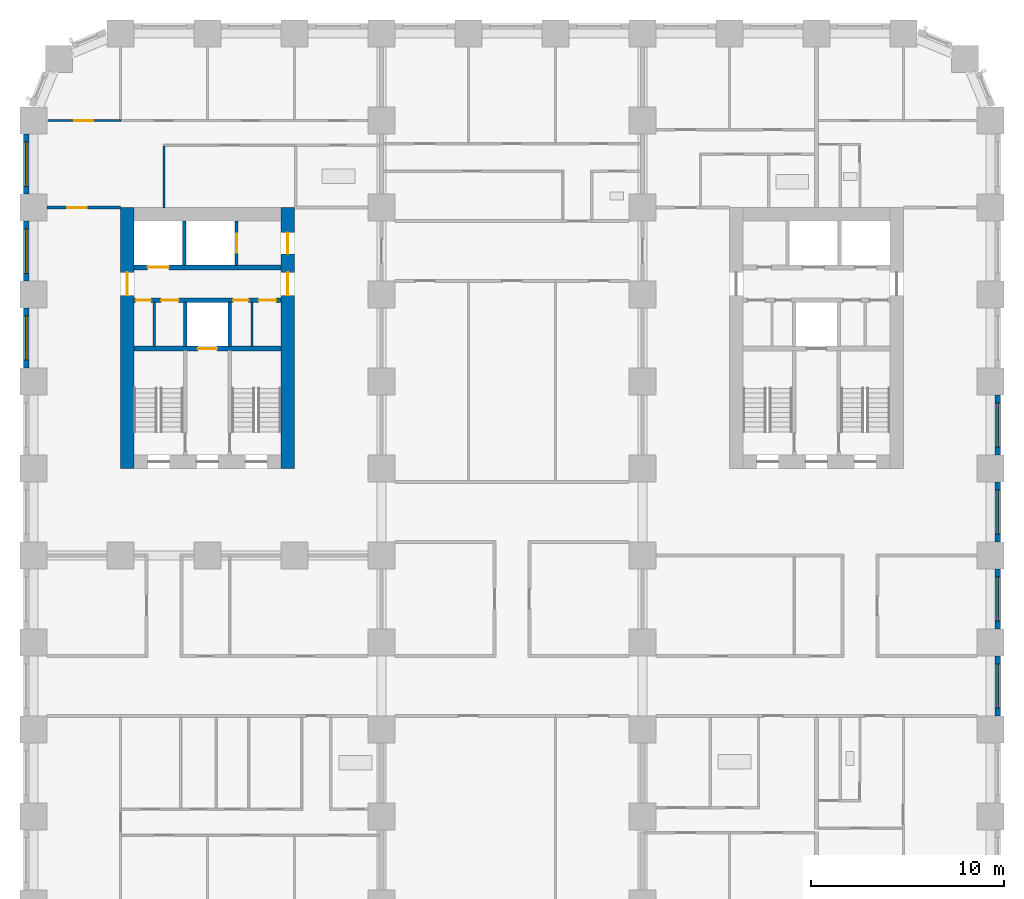
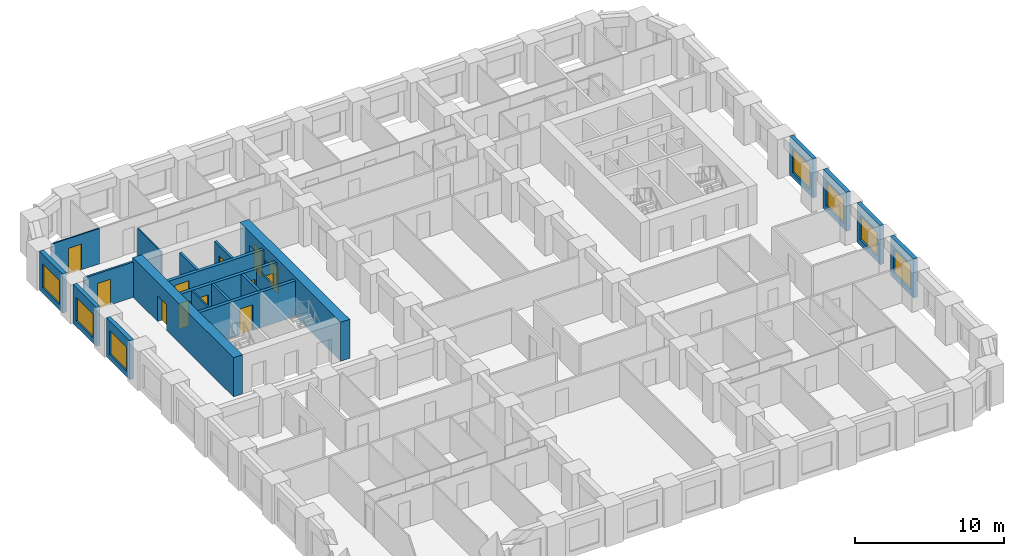
# One storey, part 6 of 13: 21 walls, 12 doors, 7 windows, 19 openings.
"""IFC4 building model written with IfcOpenShell, lengths in metres."""

from ifc_helpers import new_model, si_unit, direction, frame, frame_2d, origin, place, context, subcontext, project, spatial, rectangle, extrude, material, layer, layer_set, type_object, element, fill, save


model = new_model("IFC4")

# Units and contexts
model_context = context("Model", 3, precision=1e-05, world=origin(), true_north=direction((0.0, 1.0)))
body_context = subcontext(model_context, "Body", "Model", "MODEL_VIEW")
ifc_project = project(units=[si_unit("LENGTHUNIT", "METRE"), si_unit("AREAUNIT", "SQUARE_METRE"), si_unit("VOLUMEUNIT", "CUBIC_METRE"), si_unit("PLANEANGLEUNIT", "RADIAN"), si_unit("MASSUNIT", "GRAM", prefix="KILO")], contexts=[model_context])

# Site, building, storey
site_placement = place(None, origin())
site = spatial("IfcSite", under=ifc_project, at=site_placement, CompositionType="ELEMENT")
building_placement = place(site_placement, origin())
building = spatial("IfcBuilding", under=site, at=building_placement, Name="Girih Gate Residences", CompositionType="ELEMENT")
storey_placement = place(building_placement, frame((0.0, 0.0, 43.199951171875)))
storey = spatial("IfcBuildingStorey", under=building, at=storey_placement, Name="L10", CompositionType="ELEMENT", Elevation=43.199951171875)

# Wall, opening, door
ifc_material_1 = material(Name="Gypsum board on steel studs", Category="steel")
ifc_layer_1 = layer(ifc_material_1, 0.14990234375)
ifc_layer_set_1 = layer_set([ifc_layer_1], Name="Compartment wall 150 mm")
wall_type_1 = type_object("IfcWallType", Name="Compartment wall 150 mm", PredefinedType="PARTITIONING", material=ifc_layer_set_1)
wall_1_placement = place(storey_placement, frame((0.699951171875, 40.5, 0.0), z_axis=(0.0, 0.0, 1.0), x_axis=(1.0, 0.0, 0.0)))
wall_1 = element("IfcWall", 1, at=wall_1_placement, inside=storey, type_object=wall_type_1, Name="L10 partition", PredefinedType="PARTITIONING", context=body_context, shape_type="SweptSolid", body=[
    extrude(rectangle(XDim=3.800048828125, YDim=0.14990234375, at=frame_2d((1.89990234375, 0.0))), origin(), (0.0, 0.0, 1.0), 2.900146484375),
])
opening_1_placement = place(wall_1_placement, frame((1.050048828125, 0.0, 0.0)))
opening_1 = element("IfcOpeningElement", 2, at=opening_1_placement, cuts=wall_1, Name="Opening A10-017", PredefinedType="OPENING", context=body_context, shape_type="SweptSolid", body=[
    extrude(rectangle(XDim=1.0, YDim=2.10009765625, at=frame_2d((0.5, 1.050048828125))), frame((0.0, 0.0849609375, 0.0), z_axis=(0.0, -1.0, 0.0), x_axis=(1.0, 0.0, 0.0)), (0.0, 0.0, 1.0), 0.169921875),
])
ifc_material_2 = material(Name="Timber, fire-rated core", Category="wood")
door_type_1 = type_object("IfcDoorType", Name="Flat entrance door 1000x2100 FD30S", OperationType="NOTDEFINED", PredefinedType="DOOR", material=ifc_material_2)
door_1_placement = place(opening_1_placement, origin())
door_1 = element("IfcDoor", 3, at=door_1_placement, inside=storey, type_object=door_type_1, Name="Door A10-017", OperationType="SINGLE_SWING_LEFT", OverallHeight=2.10009765625, OverallWidth=1.0, PredefinedType="DOOR", context=body_context, shape_type="SweptSolid", body=[
    extrude(rectangle(XDim=1.0, YDim=2.10009765625, at=frame_2d((0.5, 1.050048828125))), frame((0.0, 0.02490234375, 0.0), z_axis=(0.0, -1.0, 0.0), x_axis=(1.0, 0.0, 0.0)), (0.0, 0.0, 1.0), 0.050048828125),
])
fill(opening_1, door_1)

ifc_material_3 = material(Name="Concrete C60/75", Category="concrete")
ifc_layer_2 = layer(ifc_material_3, 0.699951171875)
ifc_layer_set_2 = layer_set([ifc_layer_2], Name="Core wall RC 700 Concrete C60/75")
wall_type_2 = type_object("IfcWallType", Name="Core wall RC 700 Concrete C60/75", PredefinedType="SOLIDWALL", material=ifc_layer_set_2)
wall_2_placement = place(storey_placement, frame((4.85009765625, 27.0, 0.0), z_axis=(0.0, 0.0, 1.0), x_axis=(0.0, 1.0, 0.0)))
wall_2 = element("IfcWall", 4, at=wall_2_placement, inside=storey, type_object=wall_type_2, Name="Core wall W-W L10", PredefinedType="SOLIDWALL", context=body_context, shape_type="SweptSolid", body=[
    extrude(rectangle(XDim=13.5, YDim=0.699951171875, at=frame_2d((6.75, 0.0))), origin(), (0.0, 0.0, 1.0), 3.199951171875),
])
opening_2_placement = place(wall_2_placement, frame((8.949951171875, 0.0, 0.0)))
opening_2 = element("IfcOpeningElement", 5, at=opening_2_placement, cuts=wall_2, Name="Opening D-L10-W-014", PredefinedType="OPENING", context=body_context, shape_type="SweptSolid", body=[
    extrude(rectangle(XDim=1.199951171875, YDim=2.10009765625, at=frame_2d((0.60009765625, 1.050048828125))), frame((0.0, 0.35986328125, 0.0), z_axis=(0.0, -1.0, 0.0), x_axis=(1.0, 0.0, 0.0)), (0.0, 0.0, 1.0), 0.719970703125),
])
ifc_material_4 = material(Name="Painted steel, fire-resisting", Category="steel")
door_type_2 = type_object("IfcDoorType", Name="Fire door 1200x2100", OperationType="SINGLE_SWING_LEFT", PredefinedType="DOOR", material=ifc_material_4)
door_2_placement = place(opening_2_placement, origin())
door_2 = element("IfcDoor", 6, at=door_2_placement, inside=storey, type_object=door_type_2, Name="L10 W core door ll-w", OperationType="SINGLE_SWING_LEFT", OverallHeight=2.10009765625, OverallWidth=1.199951171875, PredefinedType="DOOR", context=body_context, shape_type="SweptSolid", body=[
    extrude(rectangle(XDim=1.199951171875, YDim=2.10009765625, at=frame_2d((0.60009765625, 1.050048828125))), frame((0.0, 0.02490234375, 0.0), z_axis=(0.0, -1.0, 0.0), x_axis=(1.0, 0.0, 0.0)), (0.0, 0.0, 1.0), 0.050048828125),
])
fill(opening_2, door_2)

# Wall, openings, doors
wall_3_placement = place(storey_placement, frame((13.14990234375, 27.0, 0.0), z_axis=(0.0, 0.0, 1.0), x_axis=(0.0, 1.0, 0.0)))
wall_3 = element("IfcWall", 7, at=wall_3_placement, inside=storey, type_object=wall_type_2, Name="Core wall W-E L10", PredefinedType="SOLIDWALL", context=body_context, shape_type="SweptSolid", body=[
    extrude(rectangle(XDim=13.5, YDim=0.699951171875, at=frame_2d((6.75, 0.0))), origin(), (0.0, 0.0, 1.0), 3.199951171875),
])
opening_3_placement = place(wall_3_placement, frame((11.10009765625, 0.0, 0.0)))
opening_3 = element("IfcOpeningElement", 8, at=opening_3_placement, cuts=wall_3, Name="Opening D-L10-W-013", PredefinedType="OPENING", context=body_context, shape_type="SweptSolid", body=[
    extrude(rectangle(XDim=1.10009765625, YDim=2.10009765625, at=frame_2d((0.550048828125, 1.050048828125))), frame((0.0, 0.35986328125, 0.0), z_axis=(0.0, -1.0, 0.0), x_axis=(1.0, 0.0, 0.0)), (0.0, 0.0, 1.0), 0.719970703125),
])
opening_4_placement = place(wall_3_placement, frame((8.949951171875, 0.0, 0.0)))
opening_4 = element("IfcOpeningElement", 9, at=opening_4_placement, cuts=wall_3, Name="Opening D-L10-W-015", PredefinedType="OPENING", context=body_context, shape_type="SweptSolid", body=[
    extrude(rectangle(XDim=1.199951171875, YDim=2.10009765625, at=frame_2d((0.60009765625, 1.050048828125))), frame((0.0, 0.35986328125, 0.0), z_axis=(0.0, -1.0, 0.0), x_axis=(1.0, 0.0, 0.0)), (0.0, 0.0, 1.0), 0.719970703125),
])
door_type_3 = type_object("IfcDoorType", Name="Fire door 1100x2100", OperationType="SINGLE_SWING_LEFT", PredefinedType="DOOR", material=ifc_material_4)
door_3_placement = place(opening_3_placement, origin())
door_3 = element("IfcDoor", 10, at=door_3_placement, inside=storey, type_object=door_type_3, Name="L10 W core door ffl2-e", OperationType="SINGLE_SWING_LEFT", OverallHeight=2.10009765625, OverallWidth=1.10009765625, PredefinedType="DOOR", context=body_context, shape_type="SweptSolid", body=[
    extrude(rectangle(XDim=1.10009765625, YDim=2.10009765625, at=frame_2d((0.550048828125, 1.050048828125))), frame((0.0, 0.02490234375, 0.0), z_axis=(0.0, -1.0, 0.0), x_axis=(1.0, 0.0, 0.0)), (0.0, 0.0, 1.0), 0.050048828125),
])
fill(opening_3, door_3)
door_4_placement = place(opening_4_placement, origin())
door_4 = element("IfcDoor", 11, at=door_4_placement, inside=storey, type_object=door_type_2, Name="L10 W core door ll-e", OperationType="SINGLE_SWING_LEFT", OverallHeight=2.10009765625, OverallWidth=1.199951171875, PredefinedType="DOOR", context=body_context, shape_type="SweptSolid", body=[
    extrude(rectangle(XDim=1.199951171875, YDim=2.10009765625, at=frame_2d((0.60009765625, 1.050048828125))), frame((0.0, 0.02490234375, 0.0), z_axis=(0.0, -1.0, 0.0), x_axis=(1.0, 0.0, 0.0)), (0.0, 0.0, 1.0), 0.050048828125),
])
fill(opening_4, door_4)

# Wall, opening, door
ifc_material_5 = material(Name="Concrete C40/50", Category="concrete")
ifc_layer_3 = layer(ifc_material_5, 0.25)
ifc_layer_set_3 = layer_set([ifc_layer_3], Name="Lift shaft wall 250")
wall_type_3 = type_object("IfcWallType", Name="Lift shaft wall 250", PredefinedType="SOLIDWALL", material=ifc_layer_set_3)
wall_4_placement = place(storey_placement, frame((5.199951171875, 33.199951171875, 0.0), z_axis=(0.0, 0.0, 1.0), x_axis=(1.0, 0.0, 0.0)))
wall_4 = element("IfcWall", 12, at=wall_4_placement, inside=storey, type_object=wall_type_3, Name="L10 W core wall H1", PredefinedType="SOLIDWALL", context=body_context, shape_type="SweptSolid", body=[
    extrude(rectangle(XDim=7.60009765625, YDim=0.25, at=frame_2d((3.800048828125, 0.0))), origin(), (0.0, 0.0, 1.0), 2.900146484375),
])
opening_5_placement = place(wall_4_placement, frame((3.300048828125, 0.0, 0.0)))
opening_5 = element("IfcOpeningElement", 13, at=opening_5_placement, cuts=wall_4, Name="Opening D-L10-W-005", PredefinedType="OPENING", context=body_context, shape_type="SweptSolid", body=[
    extrude(rectangle(XDim=1.0, YDim=2.10009765625, at=frame_2d((0.5, 1.050048828125))), frame((0.0, 0.135009765625, 0.0), z_axis=(0.0, -1.0, 0.0), x_axis=(1.0, 0.0, 0.0)), (0.0, 0.0, 1.0), 0.27001953125),
])
ifc_material_6 = material(Name="Stainless steel, fire-resisting", Category="steel")
door_type_4 = type_object("IfcDoorType", Name="Firefighting lift landing door 1000x2100", OperationType="SLIDING_TO_LEFT", PredefinedType="DOOR", material=ifc_material_6)
door_5_placement = place(opening_5_placement, origin())
door_5 = element("IfcDoor", 14, at=door_5_placement, inside=storey, type_object=door_type_4, Name="L10 lift FF-W landing door", OperationType="SLIDING_TO_LEFT", OverallHeight=2.10009765625, OverallWidth=1.0, PredefinedType="DOOR", context=body_context, shape_type="SweptSolid", body=[
    extrude(rectangle(XDim=1.0, YDim=2.10009765625, at=frame_2d((0.5, 1.050048828125))), frame((0.0, 0.02490234375, 0.0), z_axis=(0.0, -1.0, 0.0), x_axis=(1.0, 0.0, 0.0)), (0.0, 0.0, 1.0), 0.050048828125),
])
fill(opening_5, door_5)

# Wall, openings, doors
wall_5_placement = place(storey_placement, frame((5.199951171875, 35.699951171875, 0.0), z_axis=(0.0, 0.0, 1.0), x_axis=(1.0, 0.0, 0.0)))
wall_5 = element("IfcWall", 15, at=wall_5_placement, inside=storey, type_object=wall_type_3, Name="L10 W core wall H2", PredefinedType="SOLIDWALL", context=body_context, shape_type="SweptSolid", body=[
    extrude(rectangle(XDim=7.60009765625, YDim=0.25, at=frame_2d((3.800048828125, 0.0))), origin(), (0.0, 0.0, 1.0), 2.900146484375),
])
opening_6_placement = place(wall_5_placement, frame((0.074951171875, 0.0, 0.0)))
opening_6 = element("IfcOpeningElement", 16, at=opening_6_placement, cuts=wall_5, Name="Opening D-L10-W-006", PredefinedType="OPENING", context=body_context, shape_type="SweptSolid", body=[
    extrude(rectangle(XDim=0.800048828125, YDim=2.10009765625, at=frame_2d((0.39990234375, 1.050048828125))), frame((0.0, 0.135009765625, 0.0), z_axis=(0.0, -1.0, 0.0), x_axis=(1.0, 0.0, 0.0)), (0.0, 0.0, 1.0), 0.27001953125),
])
opening_7_placement = place(wall_5_placement, frame((1.39990234375, 0.0, 0.0)))
opening_7 = element("IfcOpeningElement", 17, at=opening_7_placement, cuts=wall_5, Name="Opening D-L10-W-007", PredefinedType="OPENING", context=body_context, shape_type="SweptSolid", body=[
    extrude(rectangle(XDim=0.89990234375, YDim=2.10009765625, at=frame_2d((0.449951171875, 1.050048828125))), frame((0.0, 0.135009765625, 0.0), z_axis=(0.0, -1.0, 0.0), x_axis=(1.0, 0.0, 0.0)), (0.0, 0.0, 1.0), 0.27001953125),
])
opening_8_placement = place(wall_5_placement, frame((5.125, 0.0, 0.0)))
opening_8 = element("IfcOpeningElement", 18, at=opening_8_placement, cuts=wall_5, Name="Opening D-L10-W-008", PredefinedType="OPENING", context=body_context, shape_type="SweptSolid", body=[
    extrude(rectangle(XDim=0.800048828125, YDim=2.10009765625, at=frame_2d((0.39990234375, 1.050048828125))), frame((0.0, 0.135009765625, 0.0), z_axis=(0.0, -1.0, 0.0), x_axis=(1.0, 0.0, 0.0)), (0.0, 0.0, 1.0), 0.27001953125),
])
opening_9_placement = place(wall_5_placement, frame((6.449951171875, 0.0, 0.0)))
opening_9 = element("IfcOpeningElement", 19, at=opening_9_placement, cuts=wall_5, Name="Opening D-L10-W-009", PredefinedType="OPENING", context=body_context, shape_type="SweptSolid", body=[
    extrude(rectangle(XDim=0.89990234375, YDim=2.10009765625, at=frame_2d((0.449951171875, 1.050048828125))), frame((0.0, 0.135009765625, 0.0), z_axis=(0.0, -1.0, 0.0), x_axis=(1.0, 0.0, 0.0)), (0.0, 0.0, 1.0), 0.27001953125),
])
door_type_5 = type_object("IfcDoorType", Name="Fire door 800x2100", OperationType="SINGLE_SWING_LEFT", PredefinedType="DOOR", material=ifc_material_4)
door_6_placement = place(opening_6_placement, origin())
door_6 = element("IfcDoor", 20, at=door_6_placement, inside=storey, type_object=door_type_5, Name="L10 W riser room door", OperationType="SINGLE_SWING_LEFT", OverallHeight=2.10009765625, OverallWidth=0.800048828125, PredefinedType="DOOR", context=body_context, shape_type="SweptSolid", body=[
    extrude(rectangle(XDim=0.800048828125, YDim=2.10009765625, at=frame_2d((0.39990234375, 1.050048828125))), frame((0.0, 0.02490234375, 0.0), z_axis=(0.0, -1.0, 0.0), x_axis=(1.0, 0.0, 0.0)), (0.0, 0.0, 1.0), 0.050048828125),
])
fill(opening_6, door_6)
door_7_placement = place(opening_8_placement, origin())
door_7 = element("IfcDoor", 21, at=door_7_placement, inside=storey, type_object=door_type_5, Name="L10 W linen store door", OperationType="SINGLE_SWING_LEFT", OverallHeight=2.10009765625, OverallWidth=0.800048828125, PredefinedType="DOOR", context=body_context, shape_type="SweptSolid", body=[
    extrude(rectangle(XDim=0.800048828125, YDim=2.10009765625, at=frame_2d((0.39990234375, 1.050048828125))), frame((0.0, 0.02490234375, 0.0), z_axis=(0.0, -1.0, 0.0), x_axis=(1.0, 0.0, 0.0)), (0.0, 0.0, 1.0), 0.050048828125),
])
fill(opening_8, door_7)
door_type_6 = type_object("IfcDoorType", Name="Fire door 900x2100", OperationType="SINGLE_SWING_LEFT", PredefinedType="DOOR", material=ifc_material_4)
door_8_placement = place(opening_7_placement, origin())
door_8 = element("IfcDoor", 22, at=door_8_placement, inside=storey, type_object=door_type_6, Name="L10 W linen store door", OperationType="SINGLE_SWING_LEFT", OverallHeight=2.10009765625, OverallWidth=0.89990234375, PredefinedType="DOOR", context=body_context, shape_type="SweptSolid", body=[
    extrude(rectangle(XDim=0.89990234375, YDim=2.10009765625, at=frame_2d((0.449951171875, 1.050048828125))), frame((0.0, 0.02490234375, 0.0), z_axis=(0.0, -1.0, 0.0), x_axis=(1.0, 0.0, 0.0)), (0.0, 0.0, 1.0), 0.050048828125),
])
fill(opening_7, door_8)
door_9_placement = place(opening_9_placement, origin())
door_9 = element("IfcDoor", 23, at=door_9_placement, inside=storey, type_object=door_type_6, Name="L10 W housekeeping store door", OperationType="SINGLE_SWING_LEFT", OverallHeight=2.10009765625, OverallWidth=0.89990234375, PredefinedType="DOOR", context=body_context, shape_type="SweptSolid", body=[
    extrude(rectangle(XDim=0.89990234375, YDim=2.10009765625, at=frame_2d((0.449951171875, 1.050048828125))), frame((0.0, 0.02490234375, 0.0), z_axis=(0.0, -1.0, 0.0), x_axis=(1.0, 0.0, 0.0)), (0.0, 0.0, 1.0), 0.050048828125),
])
fill(opening_9, door_9)

# Wall, opening, door
wall_6_placement = place(storey_placement, frame((5.199951171875, 37.39990234375, 0.0), z_axis=(0.0, 0.0, 1.0), x_axis=(1.0, 0.0, 0.0)))
wall_6 = element("IfcWall", 24, at=wall_6_placement, inside=storey, type_object=wall_type_3, Name="L10 W core wall H3", PredefinedType="SOLIDWALL", context=body_context, shape_type="SweptSolid", body=[
    extrude(rectangle(XDim=7.60009765625, YDim=0.25, at=frame_2d((3.800048828125, 0.0))), origin(), (0.0, 0.0, 1.0), 2.900146484375),
])
opening_10_placement = place(wall_6_placement, frame((0.699951171875, 0.0, 0.0)))
opening_10 = element("IfcOpeningElement", 25, at=opening_10_placement, cuts=wall_6, Name="Opening D-L10-W-003", PredefinedType="OPENING", context=body_context, shape_type="SweptSolid", body=[
    extrude(rectangle(XDim=1.10009765625, YDim=2.39990234375, at=frame_2d((0.550048828125, 1.199951171875))), frame((0.0, 0.135009765625, 0.0), z_axis=(0.0, -1.0, 0.0), x_axis=(1.0, 0.0, 0.0)), (0.0, 0.0, 1.0), 0.27001953125),
])
ifc_material_7 = material(Name="Stainless steel", Category="steel")
door_type_7 = type_object("IfcDoorType", Name="Lift landing door 1100x2400", OperationType="SLIDING_TO_LEFT", PredefinedType="DOOR", material=ifc_material_7)
door_10_placement = place(opening_10_placement, origin())
door_10 = element("IfcDoor", 26, at=door_10_placement, inside=storey, type_object=door_type_7, Name="L10 lift LR-W1 landing door", OperationType="SLIDING_TO_LEFT", OverallHeight=2.39990234375, OverallWidth=1.10009765625, PredefinedType="DOOR", context=body_context, shape_type="SweptSolid", body=[
    extrude(rectangle(XDim=1.10009765625, YDim=2.39990234375, at=frame_2d((0.550048828125, 1.199951171875))), frame((0.0, 0.02490234375, 0.0), z_axis=(0.0, -1.0, 0.0), x_axis=(1.0, 0.0, 0.0)), (0.0, 0.0, 1.0), 0.050048828125),
])
fill(opening_10, door_10)

# Wall
ifc_layer_4 = layer(ifc_material_1, 0.10009765625)
ifc_layer_set_4 = layer_set([ifc_layer_4], Name="Partition 100 mm")
wall_type_4 = type_object("IfcWallType", Name="Partition 100 mm", PredefinedType="PARTITIONING", material=ifc_layer_set_4)
wall_7_placement = place(storey_placement, frame((6.75, 40.5, 0.0), z_axis=(0.0, 0.0, 1.0), x_axis=(0.0, 1.0, 0.0)))
element("IfcWall", 27, at=wall_7_placement, inside=storey, type_object=wall_type_4, Name="L10 partition", PredefinedType="PARTITIONING", context=body_context, shape_type="SweptSolid", body=[
    extrude(rectangle(XDim=3.169921875, YDim=0.10009765625, at=frame_2d((1.5849609375, 0.0))), origin(), (0.0, 0.0, 1.0), 2.900146484375),
])

# Wall, opening, door
wall_8_placement = place(storey_placement, frame((0.757568359375, 45.0, 0.0), z_axis=(0.0, 0.0, 1.0), x_axis=(1.0, 0.0, 0.0)))
wall_8 = element("IfcWall", 28, at=wall_8_placement, inside=storey, type_object=wall_type_4, Name="L10 partition", PredefinedType="PARTITIONING", context=body_context, shape_type="SweptSolid", body=[
    extrude(rectangle(XDim=3.742431640625, YDim=0.10009765625, at=frame_2d((1.87109375, 0.0))), origin(), (0.0, 0.0, 1.0), 2.900146484375),
])
opening_11_placement = place(wall_8_placement, frame((1.34228515625, 0.0, 0.0)))
opening_11 = element("IfcOpeningElement", 29, at=opening_11_placement, cuts=wall_8, Name="Opening A10-016", PredefinedType="OPENING", context=body_context, shape_type="SweptSolid", body=[
    extrude(rectangle(XDim=1.0, YDim=2.10009765625, at=frame_2d((0.5, 1.050048828125))), frame((0.0, 0.06005859375, 0.0), z_axis=(0.0, -1.0, 0.0), x_axis=(1.0, 0.0, 0.0)), (0.0, 0.0, 1.0), 0.1201171875),
])
ifc_material_8 = material(Name="Timber", Category="wood")
door_type_8 = type_object("IfcDoorType", Name="Living room door 1000x2100", OperationType="NOTDEFINED", PredefinedType="DOOR", material=ifc_material_8)
door_11_placement = place(opening_11_placement, origin())
door_11 = element("IfcDoor", 30, at=door_11_placement, inside=storey, type_object=door_type_8, Name="Door A10-016", OperationType="SINGLE_SWING_LEFT", OverallHeight=2.10009765625, OverallWidth=1.0, PredefinedType="DOOR", context=body_context, shape_type="SweptSolid", body=[
    extrude(rectangle(XDim=1.0, YDim=2.10009765625, at=frame_2d((0.5, 1.050048828125))), frame((0.0, 0.02490234375, 0.0), z_axis=(0.0, -1.0, 0.0), x_axis=(1.0, 0.0, 0.0)), (0.0, 0.0, 1.0), 0.050048828125),
])
fill(opening_11, door_11)

# Wall, opening, window
ifc_material_9 = material(Name="Precast concrete C50/60", Category="concrete")
ifc_layer_5 = layer(ifc_material_9, 0.080078125, Name="Outer leaf")
ifc_material_10 = material(Name="Rigid PIR insulation")
ifc_layer_6 = layer(ifc_material_10, 0.14990234375, Name="Insulation")
ifc_material_11 = material(Name="Precast concrete C40/50", Category="concrete")
ifc_layer_7 = layer(ifc_material_11, 0.070068359375, Name="Inner leaf")
ifc_layer_set_5 = layer_set([ifc_layer_5, ifc_layer_6, ifc_layer_7], Name="Precast concrete C50/60 external wall 300")
wall_type_5 = type_object("IfcWallType", Name="Precast concrete C50/60 external wall 300", PredefinedType="SOLIDWALL", material=ifc_layer_set_5)
wall_9_placement = place(storey_placement, frame((49.875, 17.300048828125, 0.0), z_axis=(0.0, 0.0, 1.0), x_axis=(0.0, -1.0, 0.0)))
wall_9 = element("IfcWall", 31, at=wall_9_placement, inside=storey, type_object=wall_type_5, Name="External wall E0495_0045.2", PredefinedType="SOLIDWALL", context=body_context, shape_type="SweptSolid", body=[
    extrude(rectangle(XDim=3.10009765625, YDim=0.300048828125, at=frame_2d((1.550048828125, 0.0))), origin(), (0.0, 0.0, 1.0), 3.199951171875),
])
opening_12_placement = place(wall_9_placement, frame((0.39990234375, 0.0, 0.449951171875)))
opening_12 = element("IfcOpeningElement", 32, at=opening_12_placement, cuts=wall_9, Name="Opening W-1", PredefinedType="OPENING", context=body_context, shape_type="SweptSolid", body=[
    extrude(rectangle(XDim=2.300048828125, YDim=1.949951171875, at=frame_2d((1.14990234375, 0.97509765625))), frame((0.0, 0.159912109375, 0.0), z_axis=(0.0, -1.0, 0.0), x_axis=(1.0, 0.0, 0.0)), (0.0, 0.0, 1.0), 0.320068359375),
])
ifc_material_12 = material(Name="Double glazing in aluminium frame", Category="aluminium")
window_type = type_object("IfcWindowType", Name="Window W-1 2300x1950", PartitioningType="SINGLE_PANEL", PredefinedType="WINDOW", material=ifc_material_12)
window_1_placement = place(opening_12_placement, origin())
window_1 = element("IfcWindow", 33, at=window_1_placement, inside=storey, type_object=window_type, Name="Window W-1 E0495_0045.2", OverallHeight=1.949951171875, OverallWidth=2.300048828125, PartitioningType="SINGLE_PANEL", PredefinedType="WINDOW", context=body_context, shape_type="SweptSolid", body=[
    extrude(rectangle(XDim=2.300048828125, YDim=1.949951171875, at=frame_2d((1.14990234375, 0.97509765625))), frame((0.0, 0.030029296875, 0.0), z_axis=(0.0, -1.0, 0.0), x_axis=(1.0, 0.0, 0.0)), (0.0, 0.0, 1.0), 0.06005859375),
])
fill(opening_12, window_1)

wall_10_placement = place(storey_placement, frame((49.875, 21.800048828125, 0.0), z_axis=(0.0, 0.0, 1.0), x_axis=(0.0, -1.0, 0.0)))
wall_10 = element("IfcWall", 34, at=wall_10_placement, inside=storey, type_object=wall_type_5, Name="External wall E0495_0045.3", PredefinedType="SOLIDWALL", context=body_context, shape_type="SweptSolid", body=[
    extrude(rectangle(XDim=3.10009765625, YDim=0.300048828125, at=frame_2d((1.550048828125, 0.0))), origin(), (0.0, 0.0, 1.0), 3.199951171875),
])
opening_13_placement = place(wall_10_placement, frame((0.39990234375, 0.0, 0.449951171875)))
opening_13 = element("IfcOpeningElement", 35, at=opening_13_placement, cuts=wall_10, Name="Opening W-1", PredefinedType="OPENING", context=body_context, shape_type="SweptSolid", body=[
    extrude(rectangle(XDim=2.300048828125, YDim=1.949951171875, at=frame_2d((1.14990234375, 0.97509765625))), frame((0.0, 0.159912109375, 0.0), z_axis=(0.0, -1.0, 0.0), x_axis=(1.0, 0.0, 0.0)), (0.0, 0.0, 1.0), 0.320068359375),
])
window_2_placement = place(opening_13_placement, origin())
window_2 = element("IfcWindow", 36, at=window_2_placement, inside=storey, type_object=window_type, Name="Window W-1 E0495_0045.3", OverallHeight=1.949951171875, OverallWidth=2.300048828125, PartitioningType="SINGLE_PANEL", PredefinedType="WINDOW", context=body_context, shape_type="SweptSolid", body=[
    extrude(rectangle(XDim=2.300048828125, YDim=1.949951171875, at=frame_2d((1.14990234375, 0.97509765625))), frame((0.0, 0.030029296875, 0.0), z_axis=(0.0, -1.0, 0.0), x_axis=(1.0, 0.0, 0.0)), (0.0, 0.0, 1.0), 0.06005859375),
])
fill(opening_13, window_2)

wall_11_placement = place(storey_placement, frame((49.875, 26.300048828125, 0.0), z_axis=(0.0, 0.0, 1.0), x_axis=(0.0, -1.0, 0.0)))
wall_11 = element("IfcWall", 37, at=wall_11_placement, inside=storey, type_object=wall_type_5, Name="External wall E0495_0045.4", PredefinedType="SOLIDWALL", context=body_context, shape_type="SweptSolid", body=[
    extrude(rectangle(XDim=3.10009765625, YDim=0.300048828125, at=frame_2d((1.550048828125, 0.0))), origin(), (0.0, 0.0, 1.0), 3.199951171875),
])
opening_14_placement = place(wall_11_placement, frame((0.39990234375, 0.0, 0.449951171875)))
opening_14 = element("IfcOpeningElement", 38, at=opening_14_placement, cuts=wall_11, Name="Opening W-1", PredefinedType="OPENING", context=body_context, shape_type="SweptSolid", body=[
    extrude(rectangle(XDim=2.300048828125, YDim=1.949951171875, at=frame_2d((1.14990234375, 0.97509765625))), frame((0.0, 0.159912109375, 0.0), z_axis=(0.0, -1.0, 0.0), x_axis=(1.0, 0.0, 0.0)), (0.0, 0.0, 1.0), 0.320068359375),
])
window_3_placement = place(opening_14_placement, origin())
window_3 = element("IfcWindow", 39, at=window_3_placement, inside=storey, type_object=window_type, Name="Window W-1 E0495_0045.4", OverallHeight=1.949951171875, OverallWidth=2.300048828125, PartitioningType="SINGLE_PANEL", PredefinedType="WINDOW", context=body_context, shape_type="SweptSolid", body=[
    extrude(rectangle(XDim=2.300048828125, YDim=1.949951171875, at=frame_2d((1.14990234375, 0.97509765625))), frame((0.0, 0.030029296875, 0.0), z_axis=(0.0, -1.0, 0.0), x_axis=(1.0, 0.0, 0.0)), (0.0, 0.0, 1.0), 0.06005859375),
])
fill(opening_14, window_3)

wall_12_placement = place(storey_placement, frame((49.875, 30.800048828125, 0.0), z_axis=(0.0, 0.0, 1.0), x_axis=(0.0, -1.0, 0.0)))
wall_12 = element("IfcWall", 40, at=wall_12_placement, inside=storey, type_object=wall_type_5, Name="External wall E0495_0045.5", PredefinedType="SOLIDWALL", context=body_context, shape_type="SweptSolid", body=[
    extrude(rectangle(XDim=3.10009765625, YDim=0.300048828125, at=frame_2d((1.550048828125, 0.0))), origin(), (0.0, 0.0, 1.0), 3.199951171875),
])
opening_15_placement = place(wall_12_placement, frame((0.39990234375, 0.0, 0.449951171875)))
opening_15 = element("IfcOpeningElement", 41, at=opening_15_placement, cuts=wall_12, Name="Opening W-1", PredefinedType="OPENING", context=body_context, shape_type="SweptSolid", body=[
    extrude(rectangle(XDim=2.300048828125, YDim=1.949951171875, at=frame_2d((1.14990234375, 0.97509765625))), frame((0.0, 0.159912109375, 0.0), z_axis=(0.0, -1.0, 0.0), x_axis=(1.0, 0.0, 0.0)), (0.0, 0.0, 1.0), 0.320068359375),
])
window_4_placement = place(opening_15_placement, origin())
window_4 = element("IfcWindow", 42, at=window_4_placement, inside=storey, type_object=window_type, Name="Window W-1 E0495_0045.5", OverallHeight=1.949951171875, OverallWidth=2.300048828125, PartitioningType="SINGLE_PANEL", PredefinedType="WINDOW", context=body_context, shape_type="SweptSolid", body=[
    extrude(rectangle(XDim=2.300048828125, YDim=1.949951171875, at=frame_2d((1.14990234375, 0.97509765625))), frame((0.0, 0.030029296875, 0.0), z_axis=(0.0, -1.0, 0.0), x_axis=(1.0, 0.0, 0.0)), (0.0, 0.0, 1.0), 0.06005859375),
])
fill(opening_15, window_4)

wall_13_placement = place(storey_placement, frame((-0.375, 41.199951171875, 0.0), z_axis=(0.0, 0.0, 1.0), x_axis=(0.0, 1.0, 0.0)))
wall_13 = element("IfcWall", 43, at=wall_13_placement, inside=storey, type_object=wall_type_5, Name="External wall W0000_0450.0", PredefinedType="SOLIDWALL", context=body_context, shape_type="SweptSolid", body=[
    extrude(rectangle(XDim=3.10009765625, YDim=0.300048828125, at=frame_2d((1.550048828125, 0.0))), origin(), (0.0, 0.0, 1.0), 3.199951171875),
])
opening_16_placement = place(wall_13_placement, frame((0.39990234375, 0.0, 0.449951171875)))
opening_16 = element("IfcOpeningElement", 44, at=opening_16_placement, cuts=wall_13, Name="Opening W-1", PredefinedType="OPENING", context=body_context, shape_type="SweptSolid", body=[
    extrude(rectangle(XDim=2.300048828125, YDim=1.949951171875, at=frame_2d((1.14990234375, 0.97509765625))), frame((0.0, 0.159912109375, 0.0), z_axis=(0.0, -1.0, 0.0), x_axis=(1.0, 0.0, 0.0)), (0.0, 0.0, 1.0), 0.320068359375),
])
window_5_placement = place(opening_16_placement, origin())
window_5 = element("IfcWindow", 45, at=window_5_placement, inside=storey, type_object=window_type, Name="Window W-1 W0000_0450.0", OverallHeight=1.949951171875, OverallWidth=2.300048828125, PartitioningType="SINGLE_PANEL", PredefinedType="WINDOW", context=body_context, shape_type="SweptSolid", body=[
    extrude(rectangle(XDim=2.300048828125, YDim=1.949951171875, at=frame_2d((1.14990234375, 0.97509765625))), frame((0.0, 0.030029296875, 0.0), z_axis=(0.0, -1.0, 0.0), x_axis=(1.0, 0.0, 0.0)), (0.0, 0.0, 1.0), 0.06005859375),
])
fill(opening_16, window_5)

wall_14_placement = place(storey_placement, frame((-0.375, 36.699951171875, 0.0), z_axis=(0.0, 0.0, 1.0), x_axis=(0.0, 1.0, 0.0)))
wall_14 = element("IfcWall", 46, at=wall_14_placement, inside=storey, type_object=wall_type_5, Name="External wall W0000_0450.1", PredefinedType="SOLIDWALL", context=body_context, shape_type="SweptSolid", body=[
    extrude(rectangle(XDim=3.10009765625, YDim=0.300048828125, at=frame_2d((1.550048828125, 0.0))), origin(), (0.0, 0.0, 1.0), 3.199951171875),
])
opening_17_placement = place(wall_14_placement, frame((0.39990234375, 0.0, 0.449951171875)))
opening_17 = element("IfcOpeningElement", 47, at=opening_17_placement, cuts=wall_14, Name="Opening W-1", PredefinedType="OPENING", context=body_context, shape_type="SweptSolid", body=[
    extrude(rectangle(XDim=2.300048828125, YDim=1.949951171875, at=frame_2d((1.14990234375, 0.97509765625))), frame((0.0, 0.159912109375, 0.0), z_axis=(0.0, -1.0, 0.0), x_axis=(1.0, 0.0, 0.0)), (0.0, 0.0, 1.0), 0.320068359375),
])
window_6_placement = place(opening_17_placement, origin())
window_6 = element("IfcWindow", 48, at=window_6_placement, inside=storey, type_object=window_type, Name="Window W-1 W0000_0450.1", OverallHeight=1.949951171875, OverallWidth=2.300048828125, PartitioningType="SINGLE_PANEL", PredefinedType="WINDOW", context=body_context, shape_type="SweptSolid", body=[
    extrude(rectangle(XDim=2.300048828125, YDim=1.949951171875, at=frame_2d((1.14990234375, 0.97509765625))), frame((0.0, 0.030029296875, 0.0), z_axis=(0.0, -1.0, 0.0), x_axis=(1.0, 0.0, 0.0)), (0.0, 0.0, 1.0), 0.06005859375),
])
fill(opening_17, window_6)

wall_15_placement = place(storey_placement, frame((-0.375, 32.199951171875, 0.0), z_axis=(0.0, 0.0, 1.0), x_axis=(0.0, 1.0, 0.0)))
wall_15 = element("IfcWall", 49, at=wall_15_placement, inside=storey, type_object=wall_type_5, Name="External wall W0000_0450.2", PredefinedType="SOLIDWALL", context=body_context, shape_type="SweptSolid", body=[
    extrude(rectangle(XDim=3.10009765625, YDim=0.300048828125, at=frame_2d((1.550048828125, 0.0))), origin(), (0.0, 0.0, 1.0), 3.199951171875),
])
opening_18_placement = place(wall_15_placement, frame((0.39990234375, 0.0, 0.449951171875)))
opening_18 = element("IfcOpeningElement", 50, at=opening_18_placement, cuts=wall_15, Name="Opening W-1", PredefinedType="OPENING", context=body_context, shape_type="SweptSolid", body=[
    extrude(rectangle(XDim=2.300048828125, YDim=1.949951171875, at=frame_2d((1.14990234375, 0.97509765625))), frame((0.0, 0.159912109375, 0.0), z_axis=(0.0, -1.0, 0.0), x_axis=(1.0, 0.0, 0.0)), (0.0, 0.0, 1.0), 0.320068359375),
])
window_7_placement = place(opening_18_placement, origin())
window_7 = element("IfcWindow", 51, at=window_7_placement, inside=storey, type_object=window_type, Name="Window W-1 W0000_0450.2", OverallHeight=1.949951171875, OverallWidth=2.300048828125, PartitioningType="SINGLE_PANEL", PredefinedType="WINDOW", context=body_context, shape_type="SweptSolid", body=[
    extrude(rectangle(XDim=2.300048828125, YDim=1.949951171875, at=frame_2d((1.14990234375, 0.97509765625))), frame((0.0, 0.030029296875, 0.0), z_axis=(0.0, -1.0, 0.0), x_axis=(1.0, 0.0, 0.0)), (0.0, 0.0, 1.0), 0.06005859375),
])
fill(opening_18, window_7)

# Wall
ifc_layer_8 = layer(ifc_material_5, 0.175048828125)
ifc_layer_set_6 = layer_set([ifc_layer_8], Name="Riser shaft wall 175")
wall_type_6 = type_object("IfcWallType", Name="Riser shaft wall 175", PredefinedType="SOLIDWALL", material=ifc_layer_set_6)
wall_16_placement = place(storey_placement, frame((7.800048828125, 37.5, 0.0), z_axis=(0.0, 0.0, 1.0), x_axis=(0.0, 1.0, 0.0)))
element("IfcWall", 52, at=wall_16_placement, inside=storey, type_object=wall_type_6, Name="L10 W core wall V1c", PredefinedType="SOLIDWALL", context=body_context, shape_type="SweptSolid", body=[
    extrude(rectangle(XDim=2.300048828125, YDim=0.175048828125, at=frame_2d((1.14990234375, 0.0))), origin(), (0.0, 0.0, 1.0), 2.900146484375),
])

# Wall, opening, door
wall_17_placement = place(storey_placement, frame((10.5, 37.5, 0.0), z_axis=(0.0, 0.0, 1.0), x_axis=(0.0, 1.0, 0.0)))
wall_17 = element("IfcWall", 53, at=wall_17_placement, inside=storey, type_object=wall_type_6, Name="L10 W core wall V2c", PredefinedType="SOLIDWALL", context=body_context, shape_type="SweptSolid", body=[
    extrude(rectangle(XDim=2.300048828125, YDim=0.175048828125, at=frame_2d((1.14990234375, 0.0))), origin(), (0.0, 0.0, 1.0), 2.900146484375),
])
opening_19_placement = place(wall_17_placement, frame((0.64990234375, 0.0, 0.0)))
opening_19 = element("IfcOpeningElement", 54, at=opening_19_placement, cuts=wall_17, Name="Opening D-L10-W-004", PredefinedType="OPENING", context=body_context, shape_type="SweptSolid", body=[
    extrude(rectangle(XDim=1.0, YDim=2.10009765625, at=frame_2d((0.5, 1.050048828125))), frame((0.0, 0.097412109375, 0.0), z_axis=(0.0, -1.0, 0.0), x_axis=(1.0, 0.0, 0.0)), (0.0, 0.0, 1.0), 0.195068359375),
])
door_12_placement = place(opening_19_placement, origin())
door_12 = element("IfcDoor", 55, at=door_12_placement, inside=storey, type_object=door_type_4, Name="L10 lift FF-W2 landing door", OperationType="SLIDING_TO_LEFT", OverallHeight=2.10009765625, OverallWidth=1.0, PredefinedType="DOOR", context=body_context, shape_type="SweptSolid", body=[
    extrude(rectangle(XDim=1.0, YDim=2.10009765625, at=frame_2d((0.5, 1.050048828125))), frame((0.0, 0.02490234375, 0.0), z_axis=(0.0, -1.0, 0.0), x_axis=(1.0, 0.0, 0.0)), (0.0, 0.0, 1.0), 0.050048828125),
])
fill(opening_19, door_12)

# Walls
ifc_layer_9 = layer(ifc_material_5, 0.199951171875)
ifc_layer_set_7 = layer_set([ifc_layer_9], Name="Shaft wall 200")
wall_type_7 = type_object("IfcWallType", Name="Shaft wall 200", PredefinedType="SOLIDWALL", material=ifc_layer_set_7)
for number, where, z_axis, x_axis, name in (
    (56, (7.85009765625, 33.300048828125, 0.0), (0.0, 0.0, 1.0), (0.0, 1.0, 0.0), "L10 W core wall V1b"),
    (57, (10.14990234375, 33.300048828125, 0.0), (0.0, 0.0, 1.0), (0.0, 1.0, 0.0), "L10 W core wall V2b"),
):
    element("IfcWall", number, at=place(storey_placement, frame(where, z_axis=z_axis, x_axis=x_axis)), inside=storey, type_object=wall_type_7, Name=name, PredefinedType="SOLIDWALL", context=body_context, shape_type="SweptSolid", body=[
        extrude(rectangle(XDim=2.300048828125, YDim=0.199951171875, at=frame_2d((1.14990234375, 0.0))), origin(), (0.0, 0.0, 1.0), 2.900146484375),
    ])
ifc_material_13 = material(Name="Calcium silicate blockwork", Category="masonry")
ifc_layer_10 = layer(ifc_material_13, 0.125)
ifc_layer_set_8 = layer_set([ifc_layer_10], Name="Store partition 125")
wall_type_8 = type_object("IfcWallType", Name="Store partition 125", PredefinedType="PARTITIONING", material=ifc_layer_set_8)
for number, where, z_axis, x_axis, name in (
    (58, (6.25, 33.300048828125, 0.0), (0.0, 0.0, 1.0), (0.0, 1.0, 0.0), "L10 W core wall SHR1"),
    (59, (11.300048828125, 33.300048828125, 0.0), (0.0, 0.0, 1.0), (0.0, 1.0, 0.0), "L10 W core wall SHR2"),
):
    element("IfcWall", number, at=place(storey_placement, frame(where, z_axis=z_axis, x_axis=x_axis)), inside=storey, type_object=wall_type_8, Name=name, PredefinedType="PARTITIONING", context=body_context, shape_type="SweptSolid", body=[
        extrude(rectangle(XDim=2.300048828125, YDim=0.125, at=frame_2d((1.14990234375, 0.0))), origin(), (0.0, 0.0, 1.0), 2.900146484375),
    ])

save(model, "model.ifc")
